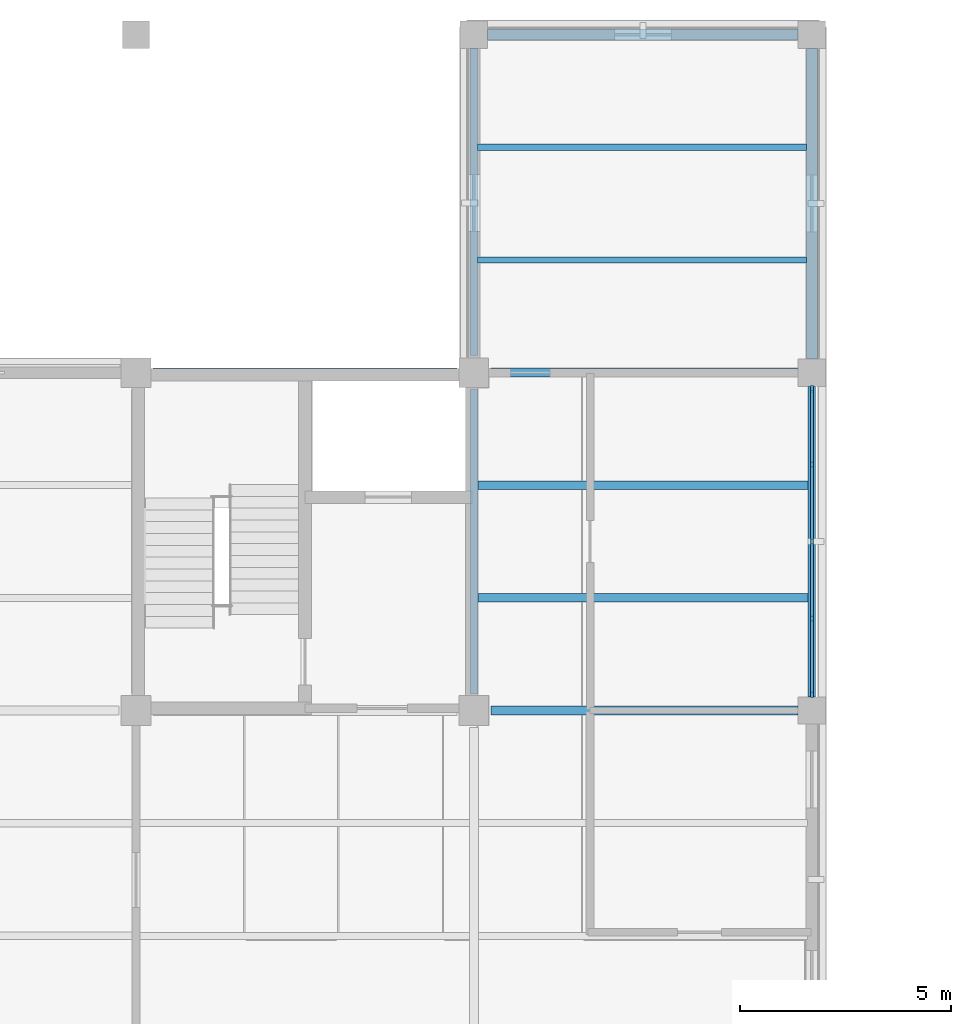
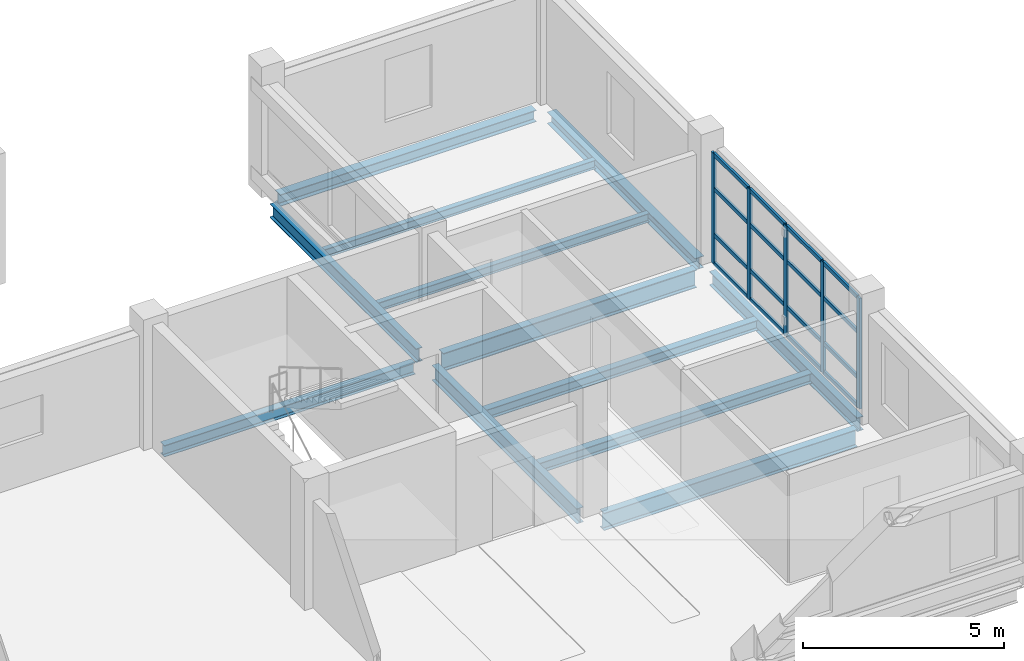
# One storey, part 33 of 107: 21 members, 12 beams, 1 element without a shape of its own.
"""IFC4 building model written with IfcOpenShell, lengths in metres."""

from ifc_helpers import new_model, si_unit, derived_unit, direction, frame, origin, origin_2d, place, context, subcontext, project, spatial, rectangle, i_section, extrude, material, layer, layer_set, material_profile, profile_set, type_object, element, aggregate, save


model = new_model("IFC4")

# Units and contexts
model_context = context("Model", 3, precision=1e-05, world=origin(), true_north=direction((0.0, 1.0)))
body_context = subcontext(model_context, "Body", "Model", "MODEL_VIEW")
ifc_project = project(units=[si_unit("LENGTHUNIT", "METRE"), si_unit("AREAUNIT", "SQUARE_METRE"), si_unit("VOLUMEUNIT", "CUBIC_METRE"), si_unit("PLANEANGLEUNIT", "RADIAN"), si_unit("MASSUNIT", "GRAM", prefix="KILO"), derived_unit("THERMALTRANSMITTANCEUNIT", [(si_unit("MASSUNIT", "GRAM", prefix="KILO"), 1), (si_unit("TIMEUNIT", "SECOND"), -3), (si_unit("THERMODYNAMICTEMPERATUREUNIT", "KELVIN"), -1)])], contexts=[model_context])

# Site, building, storey
site_placement = place(None, origin())
site = spatial("IfcSite", under=ifc_project, at=site_placement, CompositionType="ELEMENT")
building_placement = place(site_placement, origin())
building = spatial("IfcBuilding", under=site, at=building_placement, Name="Veyamyaing Civic Hall", CompositionType="ELEMENT")
storey_placement = place(building_placement, frame((0.0, 0.0, 13.860107421875)))
storey = spatial("IfcBuildingStorey", under=building, at=storey_placement, Name="L03", CompositionType="ELEMENT", Elevation=13.860107421875)

# Beams
ifc_material_1 = material(Name="Steel ASTM A992", Category="steel")
ifc_material_profile_1 = material_profile(ifc_material_1, i_section(OverallWidth=0.208984375, OverallDepth=0.532958984375, WebThickness=0.01025390625, FlangeThickness=0.015625, FilletRadius=0.011962890625, at=origin_2d()), Name="W530X92")
ifc_profile_set_1 = profile_set([ifc_material_profile_1], Name="Steel ASTM A992")
beam_type_1 = type_object("IfcBeamType", Name="B-07", PredefinedType="BEAM", material=ifc_profile_set_1)
beam_1_placement = place(storey_placement, frame((40.39990234375, 96.0, -0.521728515625), z_axis=(1.0, 0.0, 0.0), x_axis=(0.0, 1.0, 0.0)))
element("IfcBeam", 1, at=beam_1_placement, inside=storey, type_object=beam_type_1, Name="Girder B-07 L03 Grid N 6-7", PredefinedType="BEAM", context=body_context, shape_type="SweptSolid", body=[
    extrude(i_section(OverallWidth=0.208984375, OverallDepth=0.532958984375, WebThickness=0.01025390625, FlangeThickness=0.015625, FilletRadius=0.011962890625, at=origin_2d()), origin(), (0.0, 0.0, 1.0), 7.275146484375),
])
ifc_material_profile_2 = material_profile(ifc_material_1, i_section(OverallWidth=0.19189453125, OverallDepth=0.462890625, WebThickness=0.010498046875, FlangeThickness=0.017578125, FilletRadius=0.010009765625, at=origin_2d()), Name="W460X89")
ifc_profile_set_2 = profile_set([ifc_material_profile_2], Name="Steel ASTM A992")
beam_type_2 = type_object("IfcBeamType", Name="B-08", PredefinedType="BEAM", material=ifc_profile_set_2)
beam_2_placement = place(storey_placement, frame((40.0, 96.39990234375, -0.486572265625), z_axis=(0.0, 1.0, 0.0), x_axis=(-1.0, 0.0, 0.0)))
element("IfcBeam", 2, at=beam_2_placement, inside=storey, type_object=beam_type_2, Name="Girder B-08 L03 Grid 6 N-P", PredefinedType="BEAM", context=body_context, shape_type="SweptSolid", body=[
    extrude(i_section(OverallWidth=0.19189453125, OverallDepth=0.462890625, WebThickness=0.010498046875, FlangeThickness=0.017578125, FilletRadius=0.010009765625, at=origin_2d()), origin(), (0.0, 0.0, 1.0), 7.2001953125),
])
ifc_material_profile_3 = material_profile(ifc_material_1, i_section(OverallWidth=0.2041015625, OverallDepth=0.35009765625, WebThickness=0.0078125, FlangeThickness=0.01513671875, FilletRadius=0.010009765625, at=origin_2d()), Name="W360X72")
ifc_profile_set_3 = profile_set([ifc_material_profile_3], Name="Steel ASTM A992")
beam_type_3 = type_object("IfcBeamType", Name="B-11", PredefinedType="SPANDREL", material=ifc_profile_set_3)
beam_3_placement = place(storey_placement, frame((32.39990234375, 104.0, -0.43017578125), z_axis=(1.0, 0.0, 0.0), x_axis=(0.0, 1.0, 0.0)))
element("IfcBeam", 3, at=beam_3_placement, inside=storey, type_object=beam_type_3, Name="Girder B-11 L03 Grid P 5-6", PredefinedType="SPANDREL", context=body_context, shape_type="SweptSolid", body=[
    extrude(i_section(OverallWidth=0.2041015625, OverallDepth=0.35009765625, WebThickness=0.0078125, FlangeThickness=0.01513671875, FilletRadius=0.010009765625, at=origin_2d()), origin(), (0.0, 0.0, 1.0), 7.2001953125),
])
ifc_material_profile_4 = material_profile(ifc_material_1, i_section(OverallWidth=0.214111328125, OverallDepth=0.549072265625, WebThickness=0.0146484375, FlangeThickness=0.023681640625, FilletRadius=0.011962890625, at=origin_2d()), Name="W530X138")
ifc_profile_set_4 = profile_set([ifc_material_profile_4], Name="Steel ASTM A992")
beam_type_4 = type_object("IfcBeamType", Name="B-16", PredefinedType="BEAM", material=ifc_profile_set_4)
beam_4_placement = place(storey_placement, frame((40.39990234375, 104.0, -0.529541015625), z_axis=(1.0, 0.0, 0.0), x_axis=(0.0, 1.0, 0.0)))
element("IfcBeam", 4, at=beam_4_placement, inside=storey, type_object=beam_type_4, Name="Girder B-16 L03 Grid P 6-7", PredefinedType="BEAM", context=body_context, shape_type="SweptSolid", body=[
    extrude(i_section(OverallWidth=0.214111328125, OverallDepth=0.549072265625, WebThickness=0.0146484375, FlangeThickness=0.023681640625, FilletRadius=0.011962890625, at=origin_2d()), origin(), (0.0, 0.0, 1.0), 7.275146484375),
])
ifc_material_profile_5 = material_profile(ifc_material_1, i_section(OverallWidth=0.180908203125, OverallDepth=0.4169921875, WebThickness=0.010986328125, FlangeThickness=0.018310546875, FilletRadius=0.010009765625, at=origin_2d()), Name="W410X85")
ifc_profile_set_5 = profile_set([ifc_material_profile_5], Name="Steel ASTM A992")
beam_type_5 = type_object("IfcBeamType", Name="B-19", PredefinedType="SPANDREL", material=ifc_profile_set_5)
beam_5_placement = place(storey_placement, frame((40.0, 104.39990234375, -0.463623046875), z_axis=(0.0, 1.0, 0.0), x_axis=(-1.0, 0.0, 0.0)))
element("IfcBeam", 5, at=beam_5_placement, inside=storey, type_object=beam_type_5, Name="Girder B-19 L03 Grid 6 P-Q", PredefinedType="SPANDREL", context=body_context, shape_type="SweptSolid", body=[
    extrude(i_section(OverallWidth=0.180908203125, OverallDepth=0.4169921875, WebThickness=0.010986328125, FlangeThickness=0.018310546875, FilletRadius=0.010009765625, at=origin_2d()), origin(), (0.0, 0.0, 1.0), 7.275146484375),
])
beam_6_placement = place(storey_placement, frame((48.0, 96.324951171875, -0.463623046875), z_axis=(0.0, 1.0, 0.0), x_axis=(-1.0, 0.0, 0.0)))
element("IfcBeam", 6, at=beam_6_placement, inside=storey, type_object=beam_type_5, Name="Girder B-19 L03 Grid 7 N-P", PredefinedType="SPANDREL", context=body_context, shape_type="SweptSolid", body=[
    extrude(i_section(OverallWidth=0.180908203125, OverallDepth=0.4169921875, WebThickness=0.010986328125, FlangeThickness=0.018310546875, FilletRadius=0.010009765625, at=origin_2d()), origin(), (0.0, 0.0, 1.0), 7.35009765625),
])
ifc_material_profile_6 = material_profile(ifc_material_1, i_section(OverallWidth=0.25390625, OverallDepth=0.35302734375, WebThickness=0.009521484375, FlangeThickness=0.016357421875, FilletRadius=0.011962890625, at=origin_2d()), Name="W360X91")
ifc_profile_set_6 = profile_set([ifc_material_profile_6], Name="Steel ASTM A992")
beam_type_6 = type_object("IfcBeamType", Name="B-20", PredefinedType="SPANDREL", material=ifc_profile_set_6)
for number, where, z_axis, x_axis, name in (
    (7, (40.324951171875, 112.0, -0.431640625), (1.0, 0.0, 0.0), (0.0, 1.0, 0.0), "Girder B-20 L03 Grid Q 6-7"),
    (8, (48.0, 104.324951171875, -0.431640625), (0.0, 1.0, 0.0), (-1.0, 0.0, 0.0), "Girder B-20 L03 Grid 7 P-Q"),
):
    element("IfcBeam", number, at=place(storey_placement, frame(where, z_axis=z_axis, x_axis=x_axis)), inside=storey, type_object=beam_type_6, Name=name, PredefinedType="SPANDREL", context=body_context, shape_type="SweptSolid", body=[
        extrude(i_section(OverallWidth=0.25390625, OverallDepth=0.35302734375, WebThickness=0.009521484375, FlangeThickness=0.016357421875, FilletRadius=0.011962890625, at=origin_2d()), origin(), (0.0, 0.0, 1.0), 7.35009765625),
    ])

# Curtain wall, members
ifc_material_2 = material(Name="Anodised aluminium 6063-T6", Category="aluminium")
ifc_layer = layer(ifc_material_2, 0.159912109375, Name="Anodised aluminium 6063-T6")
ifc_layer_set = layer_set([ifc_layer], Name="Anodised aluminium 6063-T6")
curtain_wall_type = type_object("IfcCurtainWallType", Name="CW-07", PredefinedType="NOTDEFINED", material=ifc_layer_set)
curtain_wall_placement = place(storey_placement, origin())
curtain_wall = element("IfcCurtainWall", 9, at=curtain_wall_placement, inside=storey, type_object=curtain_wall_type, Name="Unitized curtain wall CW-07 L03 E 6.13", PredefinedType="NOTDEFINED")
ifc_material_profile_7 = material_profile(ifc_material_2, rectangle(XDim=0.06494140625, YDim=0.159912109375, at=origin_2d()), Name="ALU-MUL-65X160")
ifc_profile_set_7 = profile_set([ifc_material_profile_7], Name="Anodised aluminium 6063-T6")
member_type_1 = type_object("IfcMemberType", Name="CWM-01", PredefinedType="MULLION", material=ifc_profile_set_7)
member_1_placement = place(storey_placement, frame((48.0, 96.387451171875, 0.0), z_axis=(0.0, 0.0, 1.0), x_axis=(-1.0, 0.0, 0.0)))
member_1 = element("IfcMember", 10, at=member_1_placement, type_object=member_type_1, Name="CW-07 mullion 1", PredefinedType="MULLION", context=body_context, shape_type="SweptSolid", body=[
    extrude(rectangle(XDim=0.06494140625, YDim=0.159912109375, at=origin_2d()), origin(), (0.0, 0.0, 1.0), 3.364013671875),
])
member_2_placement = place(storey_placement, frame((48.0, 98.177490234375, 0.0), z_axis=(0.0, 0.0, 1.0), x_axis=(-1.0, 0.0, 0.0)))
member_2 = element("IfcMember", 11, at=member_2_placement, type_object=member_type_1, Name="CW-07 mullion 2", PredefinedType="MULLION", context=body_context, shape_type="SweptSolid", body=[
    extrude(rectangle(XDim=0.06494140625, YDim=0.159912109375, at=origin_2d()), origin(), (0.0, 0.0, 1.0), 3.364013671875),
])
member_3_placement = place(storey_placement, frame((48.0, 100.0, 0.0), z_axis=(0.0, 0.0, 1.0), x_axis=(-1.0, 0.0, 0.0)))
member_3 = element("IfcMember", 12, at=member_3_placement, type_object=member_type_1, Name="CW-07 mullion 3", PredefinedType="MULLION", context=body_context, shape_type="SweptSolid", body=[
    extrude(rectangle(XDim=0.06494140625, YDim=0.159912109375, at=origin_2d()), origin(), (0.0, 0.0, 1.0), 3.364013671875),
])
member_4_placement = place(storey_placement, frame((48.0, 101.822509765625, 0.0), z_axis=(0.0, 0.0, 1.0), x_axis=(-1.0, 0.0, 0.0)))
member_4 = element("IfcMember", 13, at=member_4_placement, type_object=member_type_1, Name="CW-07 mullion 4", PredefinedType="MULLION", context=body_context, shape_type="SweptSolid", body=[
    extrude(rectangle(XDim=0.06494140625, YDim=0.159912109375, at=origin_2d()), origin(), (0.0, 0.0, 1.0), 3.364013671875),
])
member_5_placement = place(storey_placement, frame((48.0, 103.612548828125, 0.0), z_axis=(0.0, 0.0, 1.0), x_axis=(-1.0, 0.0, 0.0)))
member_5 = element("IfcMember", 14, at=member_5_placement, type_object=member_type_1, Name="CW-07 mullion 5", PredefinedType="MULLION", context=body_context, shape_type="SweptSolid", body=[
    extrude(rectangle(XDim=0.06494140625, YDim=0.159912109375, at=origin_2d()), origin(), (0.0, 0.0, 1.0), 3.364013671875),
])
ifc_material_profile_8 = material_profile(ifc_material_2, rectangle(XDim=0.06494140625, YDim=0.1201171875, at=origin_2d()), Name="ALU-TRN-65X120")
ifc_profile_set_8 = profile_set([ifc_material_profile_8], Name="Anodised aluminium 6063-T6")
member_type_2 = type_object("IfcMemberType", Name="CWT-01", PredefinedType="USERDEFINED", material=ifc_profile_set_8)
member_6_placement = place(storey_placement, frame((48.0, 96.419921875, 0.032470703125), z_axis=(0.0, 1.0, 0.0), x_axis=(-1.0, 0.0, 0.0)))
member_6 = element("IfcMember", 15, at=member_6_placement, type_object=member_type_2, Name="CW-07 transom 1.1", ObjectType="TRANSOM", PredefinedType="USERDEFINED", context=body_context, shape_type="SweptSolid", body=[
    extrude(rectangle(XDim=0.06494140625, YDim=0.1201171875, at=origin_2d()), origin(), (0.0, 0.0, 1.0), 1.72509765625),
])
member_7_placement = place(storey_placement, frame((48.0, 96.419921875, 0.89990234375), z_axis=(0.0, 1.0, 0.0), x_axis=(-1.0, 0.0, 0.0)))
member_7 = element("IfcMember", 16, at=member_7_placement, type_object=member_type_2, Name="CW-07 transom 1.2", ObjectType="TRANSOM", PredefinedType="USERDEFINED", context=body_context, shape_type="SweptSolid", body=[
    extrude(rectangle(XDim=0.06494140625, YDim=0.1201171875, at=origin_2d()), origin(), (0.0, 0.0, 1.0), 1.72509765625),
])
member_8_placement = place(storey_placement, frame((48.0, 96.419921875, 2.287353515625), z_axis=(0.0, 1.0, 0.0), x_axis=(-1.0, 0.0, 0.0)))
member_8 = element("IfcMember", 17, at=member_8_placement, type_object=member_type_2, Name="CW-07 transom 1.3", ObjectType="TRANSOM", PredefinedType="USERDEFINED", context=body_context, shape_type="SweptSolid", body=[
    extrude(rectangle(XDim=0.06494140625, YDim=0.1201171875, at=origin_2d()), origin(), (0.0, 0.0, 1.0), 1.72509765625),
])
member_9_placement = place(storey_placement, frame((48.0, 96.419921875, 3.331298828125), z_axis=(0.0, 1.0, 0.0), x_axis=(-1.0, 0.0, 0.0)))
member_9 = element("IfcMember", 18, at=member_9_placement, type_object=member_type_2, Name="CW-07 transom 1.4", ObjectType="TRANSOM", PredefinedType="USERDEFINED", context=body_context, shape_type="SweptSolid", body=[
    extrude(rectangle(XDim=0.06494140625, YDim=0.1201171875, at=origin_2d()), origin(), (0.0, 0.0, 1.0), 1.72509765625),
])
member_10_placement = place(storey_placement, frame((48.0, 98.2099609375, 0.032470703125), z_axis=(0.0, 1.0, 0.0), x_axis=(-1.0, 0.0, 0.0)))
member_10 = element("IfcMember", 19, at=member_10_placement, type_object=member_type_2, Name="CW-07 transom 2.1", ObjectType="TRANSOM", PredefinedType="USERDEFINED", context=body_context, shape_type="SweptSolid", body=[
    extrude(rectangle(XDim=0.06494140625, YDim=0.1201171875, at=origin_2d()), origin(), (0.0, 0.0, 1.0), 1.757568359375),
])
member_11_placement = place(storey_placement, frame((48.0, 98.2099609375, 0.89990234375), z_axis=(0.0, 1.0, 0.0), x_axis=(-1.0, 0.0, 0.0)))
member_11 = element("IfcMember", 20, at=member_11_placement, type_object=member_type_2, Name="CW-07 transom 2.2", ObjectType="TRANSOM", PredefinedType="USERDEFINED", context=body_context, shape_type="SweptSolid", body=[
    extrude(rectangle(XDim=0.06494140625, YDim=0.1201171875, at=origin_2d()), origin(), (0.0, 0.0, 1.0), 1.757568359375),
])
member_12_placement = place(storey_placement, frame((48.0, 98.2099609375, 2.287353515625), z_axis=(0.0, 1.0, 0.0), x_axis=(-1.0, 0.0, 0.0)))
member_12 = element("IfcMember", 21, at=member_12_placement, type_object=member_type_2, Name="CW-07 transom 2.3", ObjectType="TRANSOM", PredefinedType="USERDEFINED", context=body_context, shape_type="SweptSolid", body=[
    extrude(rectangle(XDim=0.06494140625, YDim=0.1201171875, at=origin_2d()), origin(), (0.0, 0.0, 1.0), 1.757568359375),
])
member_13_placement = place(storey_placement, frame((48.0, 98.2099609375, 3.331298828125), z_axis=(0.0, 1.0, 0.0), x_axis=(-1.0, 0.0, 0.0)))
member_13 = element("IfcMember", 22, at=member_13_placement, type_object=member_type_2, Name="CW-07 transom 2.4", ObjectType="TRANSOM", PredefinedType="USERDEFINED", context=body_context, shape_type="SweptSolid", body=[
    extrude(rectangle(XDim=0.06494140625, YDim=0.1201171875, at=origin_2d()), origin(), (0.0, 0.0, 1.0), 1.757568359375),
])
member_14_placement = place(storey_placement, frame((48.0, 100.032470703125, 0.032470703125), z_axis=(0.0, 1.0, 0.0), x_axis=(-1.0, 0.0, 0.0)))
member_14 = element("IfcMember", 23, at=member_14_placement, type_object=member_type_2, Name="CW-07 transom 3.1", ObjectType="TRANSOM", PredefinedType="USERDEFINED", context=body_context, shape_type="SweptSolid", body=[
    extrude(rectangle(XDim=0.06494140625, YDim=0.1201171875, at=origin_2d()), origin(), (0.0, 0.0, 1.0), 1.757568359375),
])
member_15_placement = place(storey_placement, frame((48.0, 100.032470703125, 0.89990234375), z_axis=(0.0, 1.0, 0.0), x_axis=(-1.0, 0.0, 0.0)))
member_15 = element("IfcMember", 24, at=member_15_placement, type_object=member_type_2, Name="CW-07 transom 3.2", ObjectType="TRANSOM", PredefinedType="USERDEFINED", context=body_context, shape_type="SweptSolid", body=[
    extrude(rectangle(XDim=0.06494140625, YDim=0.1201171875, at=origin_2d()), origin(), (0.0, 0.0, 1.0), 1.757568359375),
])
member_16_placement = place(storey_placement, frame((48.0, 100.032470703125, 2.287353515625), z_axis=(0.0, 1.0, 0.0), x_axis=(-1.0, 0.0, 0.0)))
member_16 = element("IfcMember", 25, at=member_16_placement, type_object=member_type_2, Name="CW-07 transom 3.3", ObjectType="TRANSOM", PredefinedType="USERDEFINED", context=body_context, shape_type="SweptSolid", body=[
    extrude(rectangle(XDim=0.06494140625, YDim=0.1201171875, at=origin_2d()), origin(), (0.0, 0.0, 1.0), 1.757568359375),
])
member_17_placement = place(storey_placement, frame((48.0, 100.032470703125, 3.331298828125), z_axis=(0.0, 1.0, 0.0), x_axis=(-1.0, 0.0, 0.0)))
member_17 = element("IfcMember", 26, at=member_17_placement, type_object=member_type_2, Name="CW-07 transom 3.4", ObjectType="TRANSOM", PredefinedType="USERDEFINED", context=body_context, shape_type="SweptSolid", body=[
    extrude(rectangle(XDim=0.06494140625, YDim=0.1201171875, at=origin_2d()), origin(), (0.0, 0.0, 1.0), 1.757568359375),
])
member_18_placement = place(storey_placement, frame((48.0, 101.85498046875, 0.032470703125), z_axis=(0.0, 1.0, 0.0), x_axis=(-1.0, 0.0, 0.0)))
member_18 = element("IfcMember", 27, at=member_18_placement, type_object=member_type_2, Name="CW-07 transom 4.1", ObjectType="TRANSOM", PredefinedType="USERDEFINED", context=body_context, shape_type="SweptSolid", body=[
    extrude(rectangle(XDim=0.06494140625, YDim=0.1201171875, at=origin_2d()), origin(), (0.0, 0.0, 1.0), 1.72509765625),
])
member_19_placement = place(storey_placement, frame((48.0, 101.85498046875, 0.89990234375), z_axis=(0.0, 1.0, 0.0), x_axis=(-1.0, 0.0, 0.0)))
member_19 = element("IfcMember", 28, at=member_19_placement, type_object=member_type_2, Name="CW-07 transom 4.2", ObjectType="TRANSOM", PredefinedType="USERDEFINED", context=body_context, shape_type="SweptSolid", body=[
    extrude(rectangle(XDim=0.06494140625, YDim=0.1201171875, at=origin_2d()), origin(), (0.0, 0.0, 1.0), 1.72509765625),
])
member_20_placement = place(storey_placement, frame((48.0, 101.85498046875, 2.287353515625), z_axis=(0.0, 1.0, 0.0), x_axis=(-1.0, 0.0, 0.0)))
member_20 = element("IfcMember", 29, at=member_20_placement, type_object=member_type_2, Name="CW-07 transom 4.3", ObjectType="TRANSOM", PredefinedType="USERDEFINED", context=body_context, shape_type="SweptSolid", body=[
    extrude(rectangle(XDim=0.06494140625, YDim=0.1201171875, at=origin_2d()), origin(), (0.0, 0.0, 1.0), 1.72509765625),
])
member_21_placement = place(storey_placement, frame((48.0, 101.85498046875, 3.331298828125), z_axis=(0.0, 1.0, 0.0), x_axis=(-1.0, 0.0, 0.0)))
member_21 = element("IfcMember", 30, at=member_21_placement, type_object=member_type_2, Name="CW-07 transom 4.4", ObjectType="TRANSOM", PredefinedType="USERDEFINED", context=body_context, shape_type="SweptSolid", body=[
    extrude(rectangle(XDim=0.06494140625, YDim=0.1201171875, at=origin_2d()), origin(), (0.0, 0.0, 1.0), 1.72509765625),
])
aggregate(curtain_wall, [member_1, member_2, member_3, member_4, member_5, member_6, member_7, member_8, member_9, member_10, member_11, member_12, member_13, member_14, member_15, member_16, member_17, member_18, member_19, member_20, member_21])

# Beams
ifc_material_profile_9 = material_profile(ifc_material_1, i_section(OverallWidth=0.2041015625, OverallDepth=0.305908203125, WebThickness=0.008544921875, FlangeThickness=0.0146484375, FilletRadius=0.010009765625, at=origin_2d()), Name="W310X67")
ifc_profile_set_9 = profile_set([ifc_material_profile_9], Name="Steel ASTM A992")
beam_type_7 = type_object("IfcBeamType", Name="J-06", PredefinedType="JOIST", material=ifc_profile_set_9)
for number, where, z_axis, x_axis, name in (
    (31, (40.093994140625, 98.666748046875, -0.408203125), (1.0, 0.0, 0.0), (0.0, 1.0, 0.0), "Composite floor joist J-06 L03 6.13.1"),
    (32, (40.093994140625, 101.333251953125, -0.408203125), (1.0, 0.0, 0.0), (0.0, 1.0, 0.0), "Composite floor joist J-06 L03 6.13.2"),
):
    element("IfcBeam", number, at=place(storey_placement, frame(where, z_axis=z_axis, x_axis=x_axis)), inside=storey, type_object=beam_type_7, Name=name, PredefinedType="JOIST", context=body_context, shape_type="SweptSolid", body=[
        extrude(i_section(OverallWidth=0.2041015625, OverallDepth=0.305908203125, WebThickness=0.008544921875, FlangeThickness=0.0146484375, FilletRadius=0.010009765625, at=origin_2d()), origin(), (0.0, 0.0, 1.0), 7.817626953125),
    ])
ifc_material_profile_10 = material_profile(ifc_material_1, i_section(OverallWidth=0.14794921875, OverallDepth=0.26611328125, WebThickness=0.007568359375, FlangeThickness=0.012939453125, FilletRadius=0.010009765625, at=origin_2d()), Name="W250X45")
ifc_profile_set_10 = profile_set([ifc_material_profile_10], Name="Steel ASTM A992")
beam_type_8 = type_object("IfcBeamType", Name="J-07", PredefinedType="JOIST", material=ifc_profile_set_10)
for number, where, z_axis, x_axis, name in (
    (33, (40.08837890625, 106.666748046875, -0.38818359375), (1.0, 0.0, 0.0), (0.0, 1.0, 0.0), "Composite floor joist J-07 L03 6.14.1"),
    (34, (40.08837890625, 109.333251953125, -0.38818359375), (1.0, 0.0, 0.0), (0.0, 1.0, 0.0), "Composite floor joist J-07 L03 6.14.2"),
):
    element("IfcBeam", number, at=place(storey_placement, frame(where, z_axis=z_axis, x_axis=x_axis)), inside=storey, type_object=beam_type_8, Name=name, PredefinedType="JOIST", context=body_context, shape_type="SweptSolid", body=[
        extrude(i_section(OverallWidth=0.14794921875, OverallDepth=0.26611328125, WebThickness=0.007568359375, FlangeThickness=0.012939453125, FilletRadius=0.010009765625, at=origin_2d()), origin(), (0.0, 0.0, 1.0), 7.78662109375),
    ])

save(model, "model.ifc")
